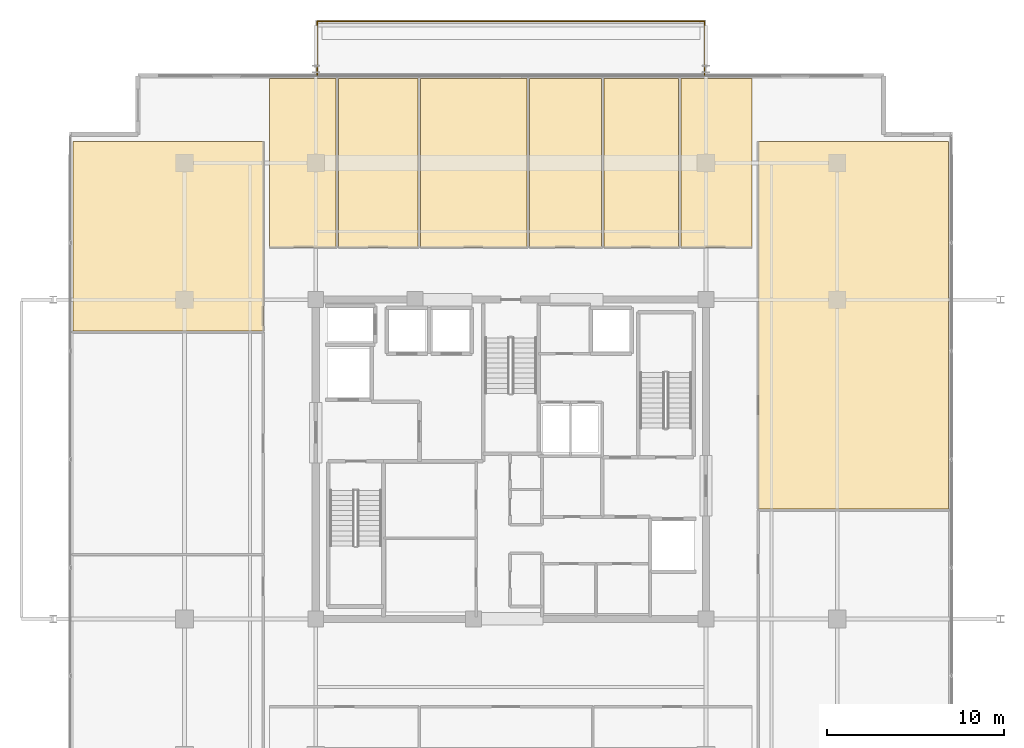
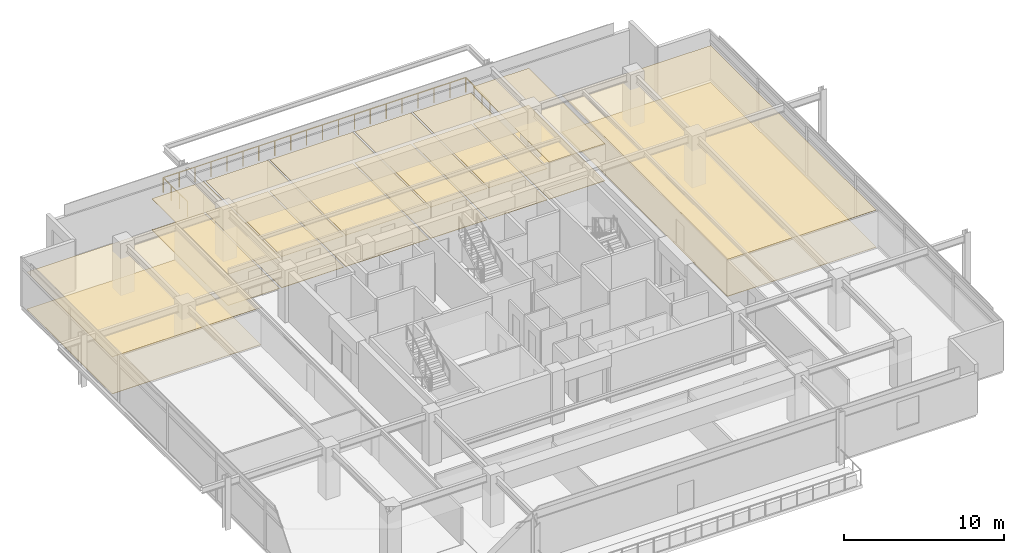
# One storey, part 21 of 21: 16 coverings, 1 railing.
"""IFC4 building model written with IfcOpenShell, lengths in metres."""

from ifc_helpers import new_model, si_unit, direction, frame, origin, origin_2d, place, context, subcontext, project, spatial, polyline, circle, outline, extrude, material, layer, layer_set, type_object, element, save


model = new_model("IFC4")

# Units and contexts
model_context = context("Model", 3, precision=1e-05, world=origin(), true_north=direction((0.0, 1.0)))
body_context = subcontext(model_context, "Body", "Model", "MODEL_VIEW")
ifc_project = project(units=[si_unit("LENGTHUNIT", "METRE"), si_unit("AREAUNIT", "SQUARE_METRE"), si_unit("VOLUMEUNIT", "CUBIC_METRE"), si_unit("PLANEANGLEUNIT", "RADIAN"), si_unit("MASSUNIT", "GRAM", prefix="KILO")], contexts=[model_context])

# Site, building, storey
site_placement = place(None, origin())
site = spatial("IfcSite", under=ifc_project, at=site_placement, CompositionType="ELEMENT")
building_placement = place(site_placement, origin())
building = spatial("IfcBuilding", under=site, at=building_placement, Name="Kovane Verandah Tower", CompositionType="ELEMENT")
storey_placement = place(building_placement, frame((0.0, 0.0, 326.800048828125)))
storey = spatial("IfcBuildingStorey", under=building, at=storey_placement, Name="L76", CompositionType="ELEMENT", Elevation=326.800048828125)

# Coverings
ifc_material_1 = material(Name="Perforated Acoustic Mineral-Fibre Ceiling Tile", Category="gypsum")
ifc_layer_1 = layer(ifc_material_1, 0.02490234375)
ifc_layer_set_1 = layer_set([ifc_layer_1], Name="Perforated Acoustic Mineral-Fibre Ceiling Tile")
covering_type_1 = type_object("IfcCoveringType", Name="CV-CEIL-25", PredefinedType="CEILING", material=ifc_layer_set_1)
covering_1_placement = place(storey_placement, frame((0.0, 0.0, 2.389892578125)))
element("IfcCovering", 1, at=covering_1_placement, inside=storey, type_object=covering_type_1, Name="L76 Meeting Room N1 Acoustic Ceiling", PredefinedType="CEILING", context=body_context, shape_type="SweptSolid", body=[
    extrude(outline(polyline([(26.39990234375, 39.449951171875), (30.137939453125, 39.449951171875), (30.137939453125, 48.9658203125), (26.39990234375, 48.9658203125), (26.39990234375, 39.449951171875)])), origin(), (0.0, 0.0, 1.0), 0.025146484375),
])
covering_2_placement = place(storey_placement, frame((0.0, 0.0, 2.389892578125)))
element("IfcCovering", 2, at=covering_2_placement, inside=storey, type_object=covering_type_1, Name="L76 Focus Studio N2 Acoustic Ceiling", PredefinedType="CEILING", context=body_context, shape_type="SweptSolid", body=[
    extrude(outline(polyline([(30.278076171875, 39.449951171875), (34.761962890625, 39.449951171875), (34.761962890625, 48.9658203125), (30.278076171875, 48.9658203125), (30.278076171875, 39.449951171875)])), origin(), (0.0, 0.0, 1.0), 0.025146484375),
])
covering_3_placement = place(storey_placement, frame((0.0, 0.0, 2.389892578125)))
element("IfcCovering", 3, at=covering_3_placement, inside=storey, type_object=covering_type_1, Name="L76 Breakout Pantry N3 Acoustic Ceiling", PredefinedType="CEILING", context=body_context, shape_type="SweptSolid", body=[
    extrude(outline(polyline([(34.902099609375, 39.449951171875), (40.89990234375, 39.449951171875), (40.89990234375, 48.9658203125), (34.902099609375, 48.9658203125), (34.902099609375, 39.449951171875)])), origin(), (0.0, 0.0, 1.0), 0.025146484375),
])
covering_4_placement = place(storey_placement, frame((0.0, 0.0, 2.389892578125)))
element("IfcCovering", 4, at=covering_4_placement, inside=storey, type_object=covering_type_1, Name="L76 Collaboration Hub N4 Acoustic Ceiling", PredefinedType="CEILING", context=body_context, shape_type="SweptSolid", body=[
    extrude(outline(polyline([(41.0400390625, 39.449951171875), (45.097900390625, 39.449951171875), (45.097900390625, 48.9658203125), (41.0400390625, 48.9658203125), (41.0400390625, 39.449951171875)])), origin(), (0.0, 0.0, 1.0), 0.025146484375),
])
covering_5_placement = place(storey_placement, frame((0.0, 0.0, 2.389892578125)))
element("IfcCovering", 5, at=covering_5_placement, inside=storey, type_object=covering_type_1, Name="L76 Document and Print Room N5 Acoustic Ceiling", PredefinedType="CEILING", context=body_context, shape_type="SweptSolid", body=[
    extrude(outline(polyline([(45.238037109375, 39.449951171875), (49.449951171875, 39.449951171875), (49.449951171875, 48.9658203125), (45.238037109375, 48.9658203125), (45.238037109375, 39.449951171875)])), origin(), (0.0, 0.0, 1.0), 0.025146484375),
])
covering_6_placement = place(storey_placement, frame((0.0, 0.0, 2.824951171875)))
element("IfcCovering", 6, at=covering_6_placement, inside=storey, type_object=covering_type_1, Name="L76 Open Plan Office N6 Acoustic Ceiling", PredefinedType="CEILING", context=body_context, shape_type="SweptSolid", body=[
    extrude(outline(polyline([(49.590087890625, 39.449951171875), (53.60009765625, 39.449951171875), (53.60009765625, 48.9658203125), (49.590087890625, 48.9658203125), (49.590087890625, 39.449951171875)])), origin(), (0.0, 0.0, 1.0), 0.02490234375),
])
covering_7_placement = place(storey_placement, frame((0.0, 0.0, 2.824951171875)))
element("IfcCovering", 7, at=covering_7_placement, inside=storey, type_object=covering_type_1, Name="L76 Collaboration Hub W3 Acoustic Ceiling", PredefinedType="CEILING", context=body_context, shape_type="SweptSolid", body=[
    extrude(outline(polyline([(15.318603515625, 34.736328125), (26.050048828125, 34.736328125), (26.050048828125, 45.415771484375), (15.318603515625, 45.415771484375), (15.318603515625, 34.736328125)])), origin(), (0.0, 0.0, 1.0), 0.02490234375),
])
covering_8_placement = place(storey_placement, frame((0.0, 0.0, 2.824951171875)))
element("IfcCovering", 8, at=covering_8_placement, inside=storey, type_object=covering_type_1, Name="L76 Open Plan Office E2 Acoustic Ceiling", PredefinedType="CEILING", context=body_context, shape_type="SweptSolid", body=[
    extrude(outline(polyline([(53.949951171875, 24.70361328125), (64.681396484375, 24.70361328125), (64.681396484375, 45.415771484375), (53.949951171875, 45.415771484375), (53.949951171875, 24.70361328125)])), origin(), (0.0, 0.0, 1.0), 0.02490234375),
])
ifc_material_2 = material(Name="Polished Terrazzo and Raised-Access Carpet Tile Finish", Category="concrete")
ifc_layer_2 = layer(ifc_material_2, 0.030029296875)
ifc_layer_set_2 = layer_set([ifc_layer_2], Name="Polished Terrazzo and Raised-Access Carpet Tile Finish")
covering_type_2 = type_object("IfcCoveringType", Name="CV-FLOR-30", PredefinedType="FLOORING", material=ifc_layer_set_2)
covering_9_placement = place(storey_placement, origin())
element("IfcCovering", 9, at=covering_9_placement, inside=storey, type_object=covering_type_2, Name="L76 Meeting Room N1 Floor Finish", PredefinedType="FLOORING", context=body_context, shape_type="SweptSolid", body=[
    extrude(outline(polyline([(26.39990234375, 39.449951171875), (30.137939453125, 39.449951171875), (30.137939453125, 48.9658203125), (26.39990234375, 48.9658203125), (26.39990234375, 39.449951171875)])), origin(), (0.0, 0.0, 1.0), 0.030029296875),
])
covering_10_placement = place(storey_placement, origin())
element("IfcCovering", 10, at=covering_10_placement, inside=storey, type_object=covering_type_2, Name="L76 Focus Studio N2 Floor Finish", PredefinedType="FLOORING", context=body_context, shape_type="SweptSolid", body=[
    extrude(outline(polyline([(30.278076171875, 39.449951171875), (34.761962890625, 39.449951171875), (34.761962890625, 48.9658203125), (30.278076171875, 48.9658203125), (30.278076171875, 39.449951171875)])), origin(), (0.0, 0.0, 1.0), 0.030029296875),
])
covering_11_placement = place(storey_placement, origin())
element("IfcCovering", 11, at=covering_11_placement, inside=storey, type_object=covering_type_2, Name="L76 Breakout Pantry N3 Floor Finish", PredefinedType="FLOORING", context=body_context, shape_type="SweptSolid", body=[
    extrude(outline(polyline([(34.902099609375, 39.449951171875), (40.89990234375, 39.449951171875), (40.89990234375, 48.9658203125), (34.902099609375, 48.9658203125), (34.902099609375, 39.449951171875)])), origin(), (0.0, 0.0, 1.0), 0.030029296875),
])
covering_12_placement = place(storey_placement, origin())
element("IfcCovering", 12, at=covering_12_placement, inside=storey, type_object=covering_type_2, Name="L76 Collaboration Hub N4 Floor Finish", PredefinedType="FLOORING", context=body_context, shape_type="SweptSolid", body=[
    extrude(outline(polyline([(41.0400390625, 39.449951171875), (45.097900390625, 39.449951171875), (45.097900390625, 48.9658203125), (41.0400390625, 48.9658203125), (41.0400390625, 39.449951171875)])), origin(), (0.0, 0.0, 1.0), 0.030029296875),
])
covering_13_placement = place(storey_placement, origin())
element("IfcCovering", 13, at=covering_13_placement, inside=storey, type_object=covering_type_2, Name="L76 Document and Print Room N5 Floor Finish", PredefinedType="FLOORING", context=body_context, shape_type="SweptSolid", body=[
    extrude(outline(polyline([(45.238037109375, 39.449951171875), (49.449951171875, 39.449951171875), (49.449951171875, 48.9658203125), (45.238037109375, 48.9658203125), (45.238037109375, 39.449951171875)])), origin(), (0.0, 0.0, 1.0), 0.030029296875),
])
covering_14_placement = place(storey_placement, origin())
element("IfcCovering", 14, at=covering_14_placement, inside=storey, type_object=covering_type_2, Name="L76 Open Plan Office N6 Floor Finish", PredefinedType="FLOORING", context=body_context, shape_type="SweptSolid", body=[
    extrude(outline(polyline([(49.590087890625, 39.449951171875), (53.60009765625, 39.449951171875), (53.60009765625, 48.9658203125), (49.590087890625, 48.9658203125), (49.590087890625, 39.449951171875)])), origin(), (0.0, 0.0, 1.0), 0.030029296875),
])
covering_15_placement = place(storey_placement, origin())
element("IfcCovering", 15, at=covering_15_placement, inside=storey, type_object=covering_type_2, Name="L76 Collaboration Hub W3 Floor Finish", PredefinedType="FLOORING", context=body_context, shape_type="SweptSolid", body=[
    extrude(outline(polyline([(15.318603515625, 34.736328125), (26.050048828125, 34.736328125), (26.050048828125, 45.415771484375), (15.318603515625, 45.415771484375), (15.318603515625, 34.736328125)])), origin(), (0.0, 0.0, 1.0), 0.030029296875),
])
covering_16_placement = place(storey_placement, origin())
element("IfcCovering", 16, at=covering_16_placement, inside=storey, type_object=covering_type_2, Name="L76 Open Plan Office E2 Floor Finish", PredefinedType="FLOORING", context=body_context, shape_type="SweptSolid", body=[
    extrude(outline(polyline([(53.949951171875, 24.70361328125), (64.681396484375, 24.70361328125), (64.681396484375, 45.415771484375), (53.949951171875, 45.415771484375), (53.949951171875, 24.70361328125)])), origin(), (0.0, 0.0, 1.0), 0.030029296875),
])

# Railing
ifc_material_3 = material(Name="Laminated Glass and Pale-Champagne Stainless Balustrade", Category="glass")
railing_type = type_object("IfcRailingType", Name="RL-BAL-1150", PredefinedType="BALUSTRADE", material=ifc_material_3)
railing_placement = place(storey_placement, frame((29.080078125, 49.165771484375, 0.0)))
element("IfcRailing", 17, at=railing_placement, inside=storey, type_object=railing_type, Name="L76 N Verandah Glass Balustrade", PredefinedType="BALUSTRADE", context=body_context, shape_type="SweptSolid", body=[
    extrude(circle(Radius=0.02392578125, at=origin_2d()), frame((0.0, 0.0, 1.1259765625), z_axis=(0.0, 1.0, 0.0), x_axis=(-1.0, 0.0, 0.0)), (0.0, 0.0, 1.0), 3.02001953125),
    extrude(circle(Radius=0.02392578125, at=origin_2d()), frame((0.0, 3.02001953125, 1.1259765625), z_axis=(1.0, 0.0, 0.0), x_axis=(0.0, 1.0, 0.0)), (0.0, 0.0, 1.0), 21.83984375),
    extrude(circle(Radius=0.02392578125, at=origin_2d()), frame((21.83984375, 3.02001953125, 1.1259765625), z_axis=(0.0, -1.0, 0.0), x_axis=(1.0, 0.0, 0.0)), (0.0, 0.0, 1.0), 3.02001953125),
    extrude(circle(Radius=0.02099609375, at=origin_2d()), origin(), (0.0, 0.0, 1.0), 1.101806640625),
    extrude(circle(Radius=0.02099609375, at=origin_2d()), frame((0.0, 1.006591796875, 0.0)), (0.0, 0.0, 1.0), 1.101806640625),
    extrude(circle(Radius=0.02099609375, at=origin_2d()), frame((0.0, 2.013427734375, 0.0)), (0.0, 0.0, 1.0), 1.101806640625),
    extrude(circle(Radius=0.02099609375, at=origin_2d()), frame((0.0, 3.02001953125, 0.0)), (0.0, 0.0, 1.0), 1.101806640625),
    extrude(circle(Radius=0.02099609375, at=origin_2d()), frame((1.1494140625, 3.02001953125, 0.0)), (0.0, 0.0, 1.0), 1.101806640625),
    extrude(circle(Radius=0.02099609375, at=origin_2d()), frame((2.298828125, 3.02001953125, 0.0)), (0.0, 0.0, 1.0), 1.101806640625),
    extrude(circle(Radius=0.02099609375, at=origin_2d()), frame((3.448486328125, 3.02001953125, 0.0)), (0.0, 0.0, 1.0), 1.101806640625),
    extrude(circle(Radius=0.02099609375, at=origin_2d()), frame((4.597900390625, 3.02001953125, 0.0)), (0.0, 0.0, 1.0), 1.101806640625),
    extrude(circle(Radius=0.02099609375, at=origin_2d()), frame((5.747314453125, 3.02001953125, 0.0)), (0.0, 0.0, 1.0), 1.101806640625),
    extrude(circle(Radius=0.02099609375, at=origin_2d()), frame((6.896728515625, 3.02001953125, 0.0)), (0.0, 0.0, 1.0), 1.101806640625),
    extrude(circle(Radius=0.02099609375, at=origin_2d()), frame((8.046142578125, 3.02001953125, 0.0)), (0.0, 0.0, 1.0), 1.101806640625),
    extrude(circle(Radius=0.02099609375, at=origin_2d()), frame((9.19580078125, 3.02001953125, 0.0)), (0.0, 0.0, 1.0), 1.101806640625),
    extrude(circle(Radius=0.02099609375, at=origin_2d()), frame((10.34521484375, 3.02001953125, 0.0)), (0.0, 0.0, 1.0), 1.101806640625),
    extrude(circle(Radius=0.02099609375, at=origin_2d()), frame((11.49462890625, 3.02001953125, 0.0)), (0.0, 0.0, 1.0), 1.101806640625),
    extrude(circle(Radius=0.02099609375, at=origin_2d()), frame((12.64404296875, 3.02001953125, 0.0)), (0.0, 0.0, 1.0), 1.101806640625),
    extrude(circle(Radius=0.02099609375, at=origin_2d()), frame((13.793701171875, 3.02001953125, 0.0)), (0.0, 0.0, 1.0), 1.101806640625),
    extrude(circle(Radius=0.02099609375, at=origin_2d()), frame((14.943115234375, 3.02001953125, 0.0)), (0.0, 0.0, 1.0), 1.101806640625),
    extrude(circle(Radius=0.02099609375, at=origin_2d()), frame((16.092529296875, 3.02001953125, 0.0)), (0.0, 0.0, 1.0), 1.101806640625),
    extrude(circle(Radius=0.02099609375, at=origin_2d()), frame((17.241943359375, 3.02001953125, 0.0)), (0.0, 0.0, 1.0), 1.101806640625),
    extrude(circle(Radius=0.02099609375, at=origin_2d()), frame((18.391357421875, 3.02001953125, 0.0)), (0.0, 0.0, 1.0), 1.101806640625),
    extrude(circle(Radius=0.02099609375, at=origin_2d()), frame((19.541015625, 3.02001953125, 0.0)), (0.0, 0.0, 1.0), 1.101806640625),
    extrude(circle(Radius=0.02099609375, at=origin_2d()), frame((20.6904296875, 3.02001953125, 0.0)), (0.0, 0.0, 1.0), 1.101806640625),
    extrude(circle(Radius=0.02099609375, at=origin_2d()), frame((21.83984375, 3.02001953125, 0.0)), (0.0, 0.0, 1.0), 1.101806640625),
    extrude(circle(Radius=0.02099609375, at=origin_2d()), frame((21.83984375, 2.013427734375, 0.0)), (0.0, 0.0, 1.0), 1.101806640625),
    extrude(circle(Radius=0.02099609375, at=origin_2d()), frame((21.83984375, 1.006591796875, 0.0)), (0.0, 0.0, 1.0), 1.101806640625),
    extrude(circle(Radius=0.02099609375, at=origin_2d()), frame((21.83984375, 0.0, 0.0)), (0.0, 0.0, 1.0), 1.101806640625),
])

save(model, "model.ifc")
